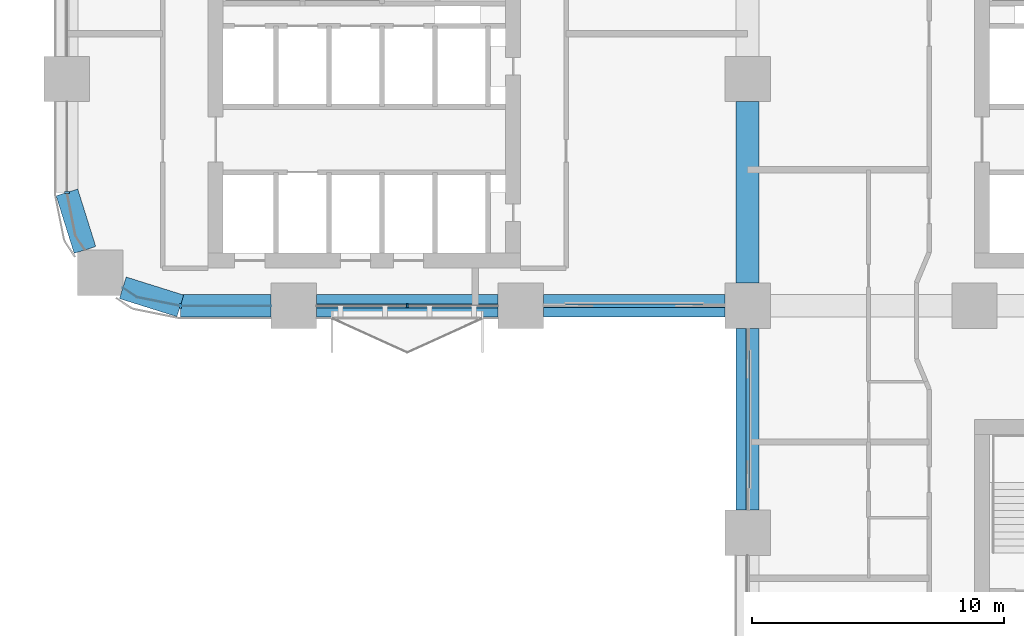
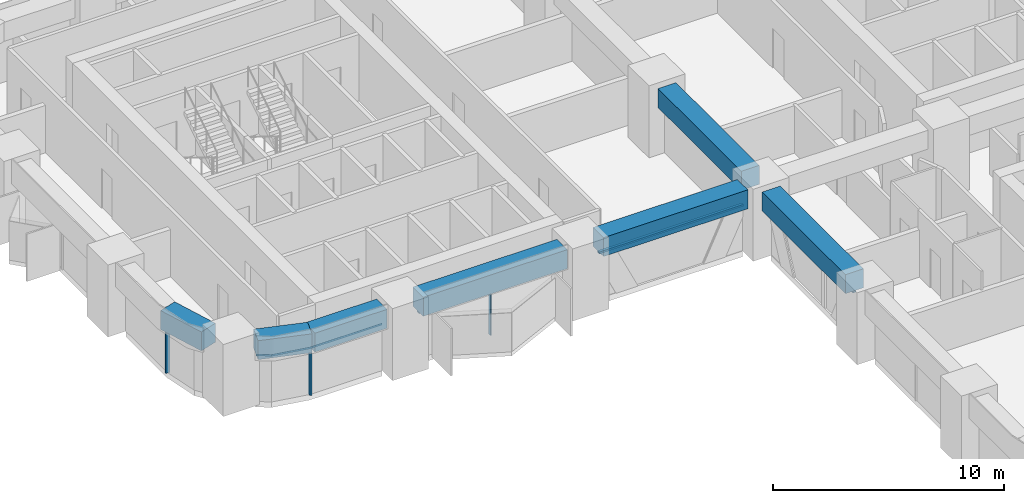
# One storey, part 3 of 18: 7 beams, 7 members, 5 elements without a shape of their own.
"""IFC4 building model written with IfcOpenShell, lengths in metres."""

from ifc_helpers import new_model, si_unit, direction, frame, origin, origin_2d, place, context, subcontext, project, spatial, polyline, rectangle, outline, extrude, material, material_profile, profile_set, type_object, element, aggregate, save


model = new_model("IFC4")

# Units and contexts
model_context = context("Model", 3, precision=1e-05, world=origin(), true_north=direction((0.0, 1.0)))
body_context = subcontext(model_context, "Body", "Model", "MODEL_VIEW")
ifc_project = project(units=[si_unit("LENGTHUNIT", "METRE"), si_unit("AREAUNIT", "SQUARE_METRE"), si_unit("VOLUMEUNIT", "CUBIC_METRE"), si_unit("PLANEANGLEUNIT", "RADIAN"), si_unit("MASSUNIT", "GRAM", prefix="KILO")], contexts=[model_context])

# Site, building, storey
site_placement = place(None, origin())
site = spatial("IfcSite", under=ifc_project, at=site_placement, CompositionType="ELEMENT")
building_placement = place(site_placement, origin())
building = spatial("IfcBuilding", under=site, at=building_placement, Name="Tessera Arch", CompositionType="ELEMENT")
storey_placement = place(building_placement, frame((0.0, 0.0, 89.199951171875)))
storey = spatial("IfcBuildingStorey", under=building, at=storey_placement, Name="L20", CompositionType="ELEMENT", Elevation=89.199951171875)

# Curtain wall, members
ifc_material_1 = material(Name="CW1 curtain wall")
curtain_wall_type_1 = type_object("IfcCurtainWallType", Name="CW1 curtain wall", PredefinedType="NOTDEFINED", material=ifc_material_1)
curtain_wall_1_placement = place(storey_placement, origin())
curtain_wall_1 = element("IfcCurtainWall", 1, at=curtain_wall_1_placement, inside=storey, type_object=curtain_wall_type_1, Name="CW1 curtain wall S27.0/1 L20", PredefinedType="NOTDEFINED")
ifc_material_2 = material(Name="Anodised aluminium pale metal", Category="aluminium")
ifc_material_profile_1 = material_profile(ifc_material_2, rectangle(XDim=0.159912109375, YDim=0.06005859375, at=origin_2d()), Name="AL 60x160")
ifc_profile_set_1 = profile_set([ifc_material_profile_1], Name="Anodised aluminium pale metal")
member_type_1 = type_object("IfcMemberType", Name="CW1 mullion", PredefinedType="MULLION", material=ifc_profile_set_1)
member_1_placement = place(storey_placement, frame((13.5, 27.0, 0.0), z_axis=(0.0, 0.0, 1.0), x_axis=(0.0, 1.0, 0.0)))
member_1 = element("IfcMember", 2, at=member_1_placement, type_object=member_type_1, Name="CW1 mullion S27.0/1 1", PredefinedType="MULLION", context=body_context, shape_type="SweptSolid", body=[
    extrude(rectangle(XDim=0.159912109375, YDim=0.06005859375, at=origin_2d()), origin(), (0.0, 0.0, 1.0), 2.400146484375),
])
ifc_material_3 = material(Name="Anodised aluminium pale metal", Category="aluminium")
ifc_material_profile_2 = material_profile(ifc_material_3, rectangle(XDim=0.159912109375, YDim=0.10009765625, at=origin_2d()), Name="AL 160x100")
ifc_profile_set_2 = profile_set([ifc_material_profile_2], Name="Anodised aluminium pale metal")
member_type_2 = type_object("IfcMemberType", Name="CW1 transom", PredefinedType="USERDEFINED", material=ifc_profile_set_2)
member_2_placement = place(storey_placement, frame((9.89990234375, 27.0, 2.449951171875), z_axis=(1.0, 0.0, 0.0), x_axis=(0.0, 1.0, 0.0)))
member_2 = element("IfcMember", 3, at=member_2_placement, type_object=member_type_2, Name="CW1 transom S27.0/1 1.1", ObjectType="TRANSOM", PredefinedType="USERDEFINED", context=body_context, shape_type="SweptSolid", body=[
    extrude(rectangle(XDim=0.159912109375, YDim=0.10009765625, at=origin_2d()), origin(), (0.0, 0.0, 1.0), 7.2001953125),
])
aggregate(curtain_wall_1, [member_1, member_2])

# Curtain wall, member
ifc_material_4 = material(Name="CW2 curtain wall")
curtain_wall_type_2 = type_object("IfcCurtainWallType", Name="CW2 curtain wall", PredefinedType="NOTDEFINED", material=ifc_material_4)
curtain_wall_2_placement = place(storey_placement, origin())
curtain_wall_2 = element("IfcCurtainWall", 4, at=curtain_wall_2_placement, inside=storey, type_object=curtain_wall_type_2, Name="CW2 curtain wall W0.27/2 L20", PredefinedType="NOTDEFINED")
ifc_material_5 = material(Name="Anodised aluminium pale metal", Category="aluminium")
ifc_material_profile_3 = material_profile(ifc_material_5, rectangle(XDim=0.199951171875, YDim=0.080078125, at=origin_2d()), Name="AL 80x200")
ifc_profile_set_3 = profile_set([ifc_material_profile_3], Name="Anodised aluminium pale metal")
member_type_3 = type_object("IfcMemberType", Name="CW2 mullion", PredefinedType="MULLION", material=ifc_profile_set_3)
member_3_placement = place(storey_placement, frame((0.0, 31.5, 0.0), z_axis=(0.0, 0.0, 1.0), x_axis=(1.0, 0.0, 0.0)))
member_3 = element("IfcMember", 5, at=member_3_placement, type_object=member_type_3, Name="CW2 mullion W0.27/2 1", PredefinedType="MULLION", context=body_context, shape_type="SweptSolid", body=[
    extrude(rectangle(XDim=0.199951171875, YDim=0.080078125, at=origin_2d()), origin(), (0.0, 0.0, 1.0), 2.400146484375),
])
aggregate(curtain_wall_2, [member_3])

# Curtain wall, members
curtain_wall_3_placement = place(storey_placement, origin())
curtain_wall_3 = element("IfcCurtainWall", 6, at=curtain_wall_3_placement, inside=storey, type_object=curtain_wall_type_2, Name="CW2 curtain wall S27.0/0 L20", PredefinedType="NOTDEFINED")
member_4_placement = place(storey_placement, frame((4.5, 27.0, 0.0), z_axis=(0.0, 0.0, 1.0), x_axis=(0.0, 1.0, 0.0)))
member_4 = element("IfcMember", 7, at=member_4_placement, type_object=member_type_3, Name="CW2 mullion S27.0/0 1", PredefinedType="MULLION", context=body_context, shape_type="SweptSolid", body=[
    extrude(rectangle(XDim=0.199951171875, YDim=0.080078125, at=origin_2d()), origin(), (0.0, 0.0, 1.0), 2.400146484375),
])
ifc_material_6 = material(Name="Anodised aluminium pale metal", Category="aluminium")
ifc_material_profile_4 = material_profile(ifc_material_6, rectangle(XDim=0.199951171875, YDim=0.10009765625, at=origin_2d()), Name="AL 200x100")
ifc_profile_set_4 = profile_set([ifc_material_profile_4], Name="Anodised aluminium pale metal")
member_type_4 = type_object("IfcMemberType", Name="CW2 transom", PredefinedType="USERDEFINED", material=ifc_profile_set_4)
member_5_placement = place(storey_placement, frame((0.0, 0.0, 2.400146484375)))
member_5 = element("IfcMember", 8, at=member_5_placement, type_object=member_type_4, Name="CW2 transom S27.0/0 1", ObjectType="TRANSOM", PredefinedType="USERDEFINED", context=body_context, shape_type="SweptSolid", body=[
    extrude(outline(polyline([(2.78173828125, 27.351806640625), (2.2236328125, 27.72509765625), (2.21240234375, 27.70849609375), (2.77392578125, 27.3330078125), (4.4990234375, 26.989990234375), (8.10009765625, 26.989990234375), (8.10009765625, 27.010009765625), (4.5009765625, 27.010009765625), (2.78173828125, 27.351806640625)])), origin(), (0.0, 0.0, 1.0), 0.099853515625),
])
aggregate(curtain_wall_3, [member_4, member_5])

# Curtain wall, member
ifc_material_7 = material(Name="CW3 curtain wall")
curtain_wall_type_3 = type_object("IfcCurtainWallType", Name="CW3 curtain wall", PredefinedType="NOTDEFINED", material=ifc_material_7)
curtain_wall_4_placement = place(storey_placement, origin())
curtain_wall_4 = element("IfcCurtainWall", 9, at=curtain_wall_4_placement, inside=storey, type_object=curtain_wall_type_3, Name="CW3 curtain wall S27.0/2 L20", PredefinedType="NOTDEFINED")
ifc_material_8 = material(Name="Anodised aluminium pale metal", Category="aluminium")
ifc_material_profile_5 = material_profile(ifc_material_8, rectangle(XDim=0.139892578125, YDim=0.10009765625, at=origin_2d()), Name="AL 140x100")
ifc_profile_set_5 = profile_set([ifc_material_profile_5], Name="Anodised aluminium pale metal")
member_type_5 = type_object("IfcMemberType", Name="CW3 transom", PredefinedType="USERDEFINED", material=ifc_profile_set_5)
member_6_placement = place(storey_placement, frame((18.89990234375, 27.0, 2.449951171875), z_axis=(1.0, 0.0, 0.0), x_axis=(0.0, 1.0, 0.0)))
member_6 = element("IfcMember", 10, at=member_6_placement, type_object=member_type_5, Name="CW3 transom S27.0/2 1.1", ObjectType="TRANSOM", PredefinedType="USERDEFINED", context=body_context, shape_type="SweptSolid", body=[
    extrude(rectangle(XDim=0.139892578125, YDim=0.10009765625, at=origin_2d()), origin(), (0.0, 0.0, 1.0), 7.2001953125),
])
aggregate(curtain_wall_4, [member_6])

curtain_wall_5_placement = place(storey_placement, origin())
curtain_wall_5 = element("IfcCurtainWall", 11, at=curtain_wall_5_placement, inside=storey, type_object=curtain_wall_type_3, Name="CW3 curtain wall W27.0/0 L20", PredefinedType="NOTDEFINED")
member_7_placement = place(storey_placement, frame((27.0, 26.10009765625, 2.449951171875), z_axis=(0.0, -1.0, 0.0), x_axis=(1.0, 0.0, 0.0)))
member_7 = element("IfcMember", 12, at=member_7_placement, type_object=member_type_5, Name="CW3 transom W27.0/0 1.1", ObjectType="TRANSOM", PredefinedType="USERDEFINED", context=body_context, shape_type="SweptSolid", body=[
    extrude(rectangle(XDim=0.139892578125, YDim=0.10009765625, at=origin_2d()), origin(), (0.0, 0.0, 1.0), 7.2001953125),
])
aggregate(curtain_wall_5, [member_7])

# Beams
ifc_material_9 = material(Name="Concrete C80/95", Category="concrete")
ifc_material_profile_6 = material_profile(ifc_material_9, rectangle(XDim=0.89990234375, YDim=1.0, at=origin_2d()), Name="RC spandrel beam 900 x 1000 Concrete C80/95")
ifc_profile_set_6 = profile_set([ifc_material_profile_6], Name="Concrete C80/95")
beam_type = type_object("IfcBeamType", Name="RC spandrel beam 900 x 1000 Concrete C80/95", PredefinedType="BEAM", material=ifc_profile_set_6)
for number, where, z_axis, x_axis, name in (
    (13, (0.0, 31.5, 3.0), (0.299675309057, -0.954041251279, 0.0), (0.954041251279, 0.299675309057, 0.0), "Spandrel beam L20 W0.27/2.2"),
    (14, (2.218017578125, 27.716796875, 3.0), (0.954041251279, -0.299675309057, 0.0), (0.299675309057, 0.954041251279, 0.0), "Spandrel beam L20 S27.0/0.1"),
):
    element("IfcBeam", number, at=place(storey_placement, frame(where, z_axis=z_axis, x_axis=x_axis)), inside=storey, type_object=beam_type, Name=name, PredefinedType="BEAM", context=body_context, shape_type="SweptSolid", body=[
        extrude(rectangle(XDim=0.89990234375, YDim=1.0, at=origin_2d()), origin(), (0.0, 0.0, 1.0), 2.391845703125),
    ])
beam_placement = place(storey_placement, frame((4.5, 27.0, 3.0), z_axis=(1.0, 0.0, 0.0), x_axis=(0.0, 1.0, 0.0)))
element("IfcBeam", 15, at=beam_placement, inside=storey, type_object=beam_type, Name="Spandrel beam L20 S27.0/0.2", PredefinedType="BEAM", context=body_context, shape_type="SweptSolid", body=[
    extrude(rectangle(XDim=0.89990234375, YDim=1.0, at=origin_2d()), origin(), (0.0, 0.0, 1.0), 3.60009765625),
])
for number, where, z_axis, x_axis, name in (
    (16, (9.89990234375, 27.0, 3.0), (1.0, 0.0, 0.0), (0.0, 1.0, 0.0), "Spandrel beam L20 S27.0/1"),
    (17, (18.89990234375, 27.0, 3.0), (1.0, 0.0, 0.0), (0.0, 1.0, 0.0), "Spandrel beam L20 S27.0/2"),
    (18, (27.0, 26.10009765625, 3.0), (0.0, -1.0, 0.0), (1.0, 0.0, 0.0), "Spandrel beam L20 W27.0/0"),
    (19, (27.0, 27.89990234375, 3.0), (0.0, 1.0, 0.0), (-1.0, 0.0, 0.0), "Interface beam L20 I0C4D-C4E"),
):
    element("IfcBeam", number, at=place(storey_placement, frame(where, z_axis=z_axis, x_axis=x_axis)), inside=storey, type_object=beam_type, Name=name, PredefinedType="BEAM", context=body_context, shape_type="SweptSolid", body=[
        extrude(rectangle(XDim=0.89990234375, YDim=1.0, at=origin_2d()), origin(), (0.0, 0.0, 1.0), 7.2001953125),
    ])

save(model, "model.ifc")
